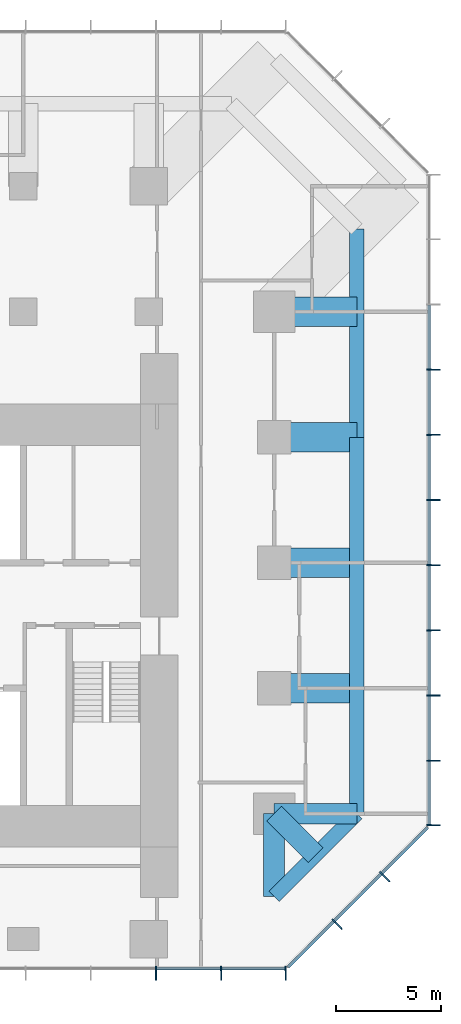
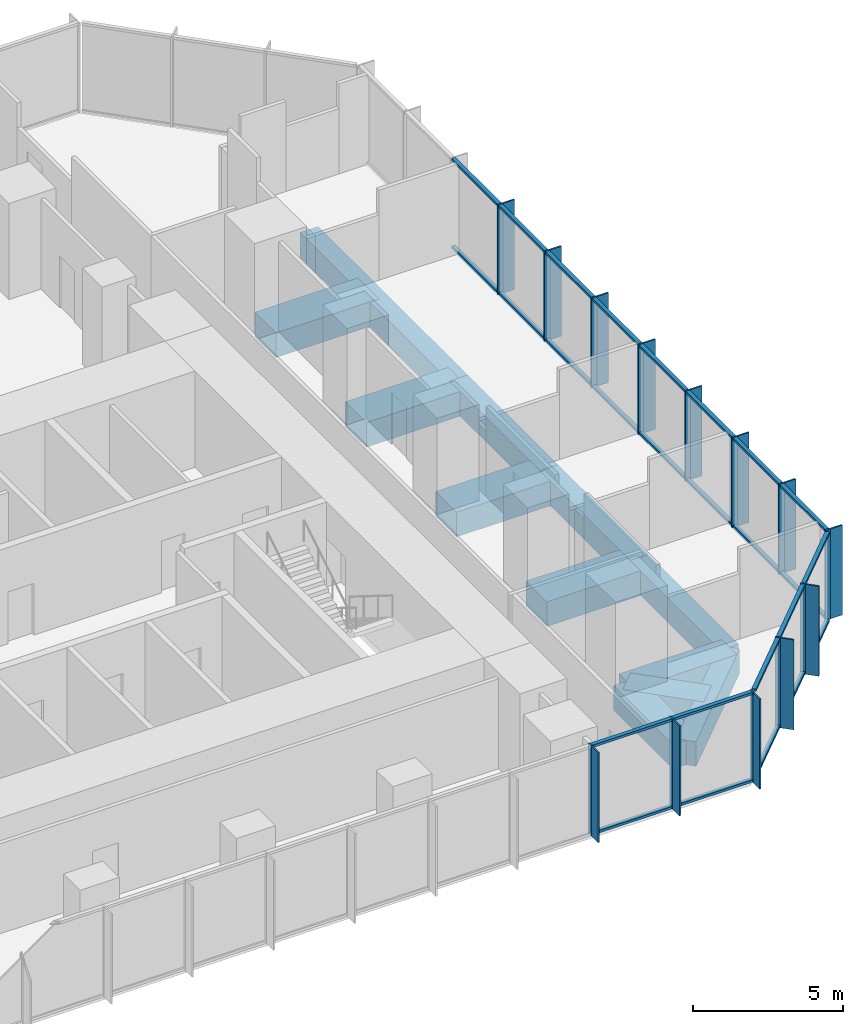
# One storey, part 4 of 11: 52 members, 12 beams, 3 elements without a shape of their own.
"""IFC4 building model written with IfcOpenShell, lengths in metres."""

from ifc_helpers import new_model, si_unit, direction, frame, origin, origin_2d, place, context, subcontext, project, spatial, rectangle, extrude, material, layer, layer_set, material_profile, profile_set, type_object, element, aggregate, save


model = new_model("IFC4")

# Units and contexts
model_context = context("Model", 3, precision=1e-05, world=origin(), true_north=direction((0.0, 1.0)))
body_context = subcontext(model_context, "Body", "Model", "MODEL_VIEW")
ifc_project = project(units=[si_unit("LENGTHUNIT", "METRE"), si_unit("AREAUNIT", "SQUARE_METRE"), si_unit("VOLUMEUNIT", "CUBIC_METRE"), si_unit("PLANEANGLEUNIT", "RADIAN"), si_unit("MASSUNIT", "GRAM", prefix="KILO")], contexts=[model_context])

# Site, building, storey
site_placement = place(None, origin())
site = spatial("IfcSite", under=ifc_project, at=site_placement, CompositionType="ELEMENT")
building_placement = place(site_placement, origin())
building = spatial("IfcBuilding", under=site, at=building_placement, Name="Highveld Stack Headquarters", CompositionType="ELEMENT")
storey_placement = place(building_placement, frame((0.0, 0.0, 185.0)))
storey = spatial("IfcBuildingStorey", under=building, at=storey_placement, Name="L45", CompositionType="ELEMENT", Elevation=185.0)

# Beams
ifc_material_1 = material(Name="Concrete C60/75", Category="concrete")
ifc_material_profile_1 = material_profile(ifc_material_1, rectangle(XDim=1.0, YDim=1.0, at=origin_2d()), Name="RC 1000x1000")
ifc_profile_set_1 = profile_set([ifc_material_profile_1], Name="Concrete C60/75")
beam_type_1 = type_object("IfcBeamType", Name="CANTILEVER RIB RC 1000x1000", PredefinedType="USERDEFINED", material=ifc_profile_set_1)
for number, where, z_axis, x_axis, name in (
    (1, (24.0, -6.0, -0.75), (1.0, 0.0, 0.0), (0.0, 1.0, 0.0), "Cantilever rib 10/D L45"),
    (2, (24.0, -6.0, -0.75), (0.0, -1.0, 0.0), (1.0, 0.0, 0.0), "Cantilever rib 10/D L45"),
):
    element("IfcBeam", number, at=place(storey_placement, frame(where, z_axis=z_axis, x_axis=x_axis)), inside=storey, type_object=beam_type_1, Name=name, ObjectType="CANTILEVER RIB", PredefinedType="USERDEFINED", context=body_context, shape_type="SweptSolid", body=[
        extrude(rectangle(XDim=1.0, YDim=1.0, at=origin_2d()), origin(), (0.0, 0.0, 1.0), 3.949951171875),
    ])
beam_1_placement = place(storey_placement, frame((24.0, -6.0, -0.75), z_axis=(0.707106781187, -0.707106781187, 0.0), x_axis=(0.707106781187, 0.707106781187, 0.0)))
element("IfcBeam", 3, at=beam_1_placement, inside=storey, type_object=beam_type_1, Name="Cantilever rib 10/D L45", ObjectType="CANTILEVER RIB", PredefinedType="USERDEFINED", context=body_context, shape_type="SweptSolid", body=[
    extrude(rectangle(XDim=1.0, YDim=1.0, at=origin_2d()), origin(), (0.0, 0.0, 1.0), 2.793212890625),
])
ifc_material_2 = material(Name="Concrete C60/75", Category="concrete")
ifc_material_profile_2 = material_profile(ifc_material_2, rectangle(XDim=1.39990234375, YDim=1.0, at=origin_2d()), Name="RC 1400x1000")
ifc_profile_set_2 = profile_set([ifc_material_profile_2], Name="Concrete C60/75")
beam_type_2 = type_object("IfcBeamType", Name="CANTILEVER RIB RC 1400x1000", PredefinedType="USERDEFINED", material=ifc_profile_set_2)
for number, where, z_axis, x_axis, name in (
    (4, (24.0, 0.0, -0.75), (1.0, 0.0, 0.0), (0.0, 1.0, 0.0), "Cantilever rib 10/E L45"),
    (5, (24.0, 6.0, -0.75), (1.0, 0.0, 0.0), (0.0, 1.0, 0.0), "Cantilever rib 10/F L45"),
    (6, (24.0, 12.0, -0.75), (1.0, 0.0, 0.0), (0.0, 1.0, 0.0), "Cantilever rib 10/G L45"),
    (7, (24.0, 18.0, -0.75), (1.0, 0.0, 0.0), (0.0, 1.0, 0.0), "Cantilever rib 10/H L45"),
):
    element("IfcBeam", number, at=place(storey_placement, frame(where, z_axis=z_axis, x_axis=x_axis)), inside=storey, type_object=beam_type_2, Name=name, ObjectType="CANTILEVER RIB", PredefinedType="USERDEFINED", context=body_context, shape_type="SweptSolid", body=[
        extrude(rectangle(XDim=1.39990234375, YDim=1.0, at=origin_2d()), origin(), (0.0, 0.0, 1.0), 3.949951171875),
    ])

# Curtain wall, members
ifc_material_3 = material(Name="Aluminium bronze anodised", Category="aluminium")
ifc_layer_1 = layer(ifc_material_3, 0.199951171875)
ifc_layer_set_1 = layer_set([ifc_layer_1], Name="Aluminium bronze anodised")
curtain_wall_type_1 = type_object("IfcCurtainWallType", Name="CW1 TOWER UNITISED CURTAIN WALL", PredefinedType="NOTDEFINED", material=ifc_layer_set_1)
curtain_wall_1_placement = place(storey_placement, origin())
curtain_wall_1 = element("IfcCurtainWall", 8, at=curtain_wall_1_placement, inside=storey, type_object=curtain_wall_type_1, Name="Curtain wall CW1 L45 S", PredefinedType="NOTDEFINED")
ifc_material_4 = material(Name="Aluminium bronze anodised", Category="aluminium")
ifc_material_profile_3 = material_profile(ifc_material_4, rectangle(XDim=0.449951171875, YDim=0.06005859375, at=origin_2d()), Name="FIN 450x60")
ifc_profile_set_3 = profile_set([ifc_material_profile_3], Name="Aluminium bronze anodised")
member_type_1 = type_object("IfcMemberType", Name="CW1 BRONZE FIN 450x60", PredefinedType="USERDEFINED", material=ifc_profile_set_3)
member_1_placement = place(storey_placement, frame((18.347900390625, -13.72509765625, 0.0), z_axis=(0.0, 0.0, 1.0), x_axis=(0.0, 1.0, 0.0)))
member_1 = element("IfcMember", 9, at=member_1_placement, type_object=member_type_1, Name="CW1 fin L45 9", ObjectType="FIN", PredefinedType="USERDEFINED", context=body_context, shape_type="SweptSolid", body=[
    extrude(rectangle(XDim=0.449951171875, YDim=0.06005859375, at=origin_2d()), origin(), (0.0, 0.0, 1.0), 3.64990234375),
])
member_2_placement = place(storey_placement, frame((21.4638671875, -13.72509765625, 0.0), z_axis=(0.0, 0.0, 1.0), x_axis=(0.0, 1.0, 0.0)))
member_2 = element("IfcMember", 10, at=member_2_placement, type_object=member_type_1, Name="CW1 fin L45 10", ObjectType="FIN", PredefinedType="USERDEFINED", context=body_context, shape_type="SweptSolid", body=[
    extrude(rectangle(XDim=0.449951171875, YDim=0.06005859375, at=origin_2d()), origin(), (0.0, 0.0, 1.0), 3.64990234375),
])
member_3_placement = place(storey_placement, frame((24.54736328125, -13.72509765625, 0.0), z_axis=(0.0, 0.0, 1.0), x_axis=(0.0, 1.0, 0.0)))
member_3 = element("IfcMember", 11, at=member_3_placement, type_object=member_type_1, Name="CW1 fin L45 11", ObjectType="FIN", PredefinedType="USERDEFINED", context=body_context, shape_type="SweptSolid", body=[
    extrude(rectangle(XDim=0.449951171875, YDim=0.06005859375, at=origin_2d()), origin(), (0.0, 0.0, 1.0), 3.64990234375),
])

curtain_wall_2_placement = place(storey_placement, origin())
curtain_wall_2 = element("IfcCurtainWall", 12, at=curtain_wall_2_placement, inside=storey, type_object=curtain_wall_type_1, Name="Curtain wall CW1 L45 E", PredefinedType="NOTDEFINED")
member_4_placement = place(storey_placement, frame((31.72509765625, -6.54736328125, 0.0), z_axis=(0.0, 0.0, 1.0), x_axis=(-1.0, 0.0, 0.0)))
member_4 = element("IfcMember", 13, at=member_4_placement, type_object=member_type_1, Name="CW1 fin L45 1", ObjectType="FIN", PredefinedType="USERDEFINED", context=body_context, shape_type="SweptSolid", body=[
    extrude(rectangle(XDim=0.449951171875, YDim=0.06005859375, at=origin_2d()), origin(), (0.0, 0.0, 1.0), 3.64990234375),
])
member_5_placement = place(storey_placement, frame((31.72509765625, -3.4638671875, 0.0), z_axis=(0.0, 0.0, 1.0), x_axis=(-1.0, 0.0, 0.0)))
member_5 = element("IfcMember", 14, at=member_5_placement, type_object=member_type_1, Name="CW1 fin L45 2", ObjectType="FIN", PredefinedType="USERDEFINED", context=body_context, shape_type="SweptSolid", body=[
    extrude(rectangle(XDim=0.449951171875, YDim=0.06005859375, at=origin_2d()), origin(), (0.0, 0.0, 1.0), 3.64990234375),
])
member_6_placement = place(storey_placement, frame((31.72509765625, -0.347900390625, 0.0), z_axis=(0.0, 0.0, 1.0), x_axis=(-1.0, 0.0, 0.0)))
member_6 = element("IfcMember", 15, at=member_6_placement, type_object=member_type_1, Name="CW1 fin L45 3", ObjectType="FIN", PredefinedType="USERDEFINED", context=body_context, shape_type="SweptSolid", body=[
    extrude(rectangle(XDim=0.449951171875, YDim=0.06005859375, at=origin_2d()), origin(), (0.0, 0.0, 1.0), 3.64990234375),
])
member_7_placement = place(storey_placement, frame((31.72509765625, 2.76806640625, 0.0), z_axis=(0.0, 0.0, 1.0), x_axis=(-1.0, 0.0, 0.0)))
member_7 = element("IfcMember", 16, at=member_7_placement, type_object=member_type_1, Name="CW1 fin L45 4", ObjectType="FIN", PredefinedType="USERDEFINED", context=body_context, shape_type="SweptSolid", body=[
    extrude(rectangle(XDim=0.449951171875, YDim=0.06005859375, at=origin_2d()), origin(), (0.0, 0.0, 1.0), 3.64990234375),
])
member_8_placement = place(storey_placement, frame((31.72509765625, 5.884033203125, 0.0), z_axis=(0.0, 0.0, 1.0), x_axis=(-1.0, 0.0, 0.0)))
member_8 = element("IfcMember", 17, at=member_8_placement, type_object=member_type_1, Name="CW1 fin L45 5", ObjectType="FIN", PredefinedType="USERDEFINED", context=body_context, shape_type="SweptSolid", body=[
    extrude(rectangle(XDim=0.449951171875, YDim=0.06005859375, at=origin_2d()), origin(), (0.0, 0.0, 1.0), 3.64990234375),
])
member_9_placement = place(storey_placement, frame((31.72509765625, 9.0, 0.0), z_axis=(0.0, 0.0, 1.0), x_axis=(-1.0, 0.0, 0.0)))
member_9 = element("IfcMember", 18, at=member_9_placement, type_object=member_type_1, Name="CW1 fin L45 6", ObjectType="FIN", PredefinedType="USERDEFINED", context=body_context, shape_type="SweptSolid", body=[
    extrude(rectangle(XDim=0.449951171875, YDim=0.06005859375, at=origin_2d()), origin(), (0.0, 0.0, 1.0), 3.64990234375),
])
member_10_placement = place(storey_placement, frame((31.72509765625, 12.115966796875, 0.0), z_axis=(0.0, 0.0, 1.0), x_axis=(-1.0, 0.0, 0.0)))
member_10 = element("IfcMember", 19, at=member_10_placement, type_object=member_type_1, Name="CW1 fin L45 7", ObjectType="FIN", PredefinedType="USERDEFINED", context=body_context, shape_type="SweptSolid", body=[
    extrude(rectangle(XDim=0.449951171875, YDim=0.06005859375, at=origin_2d()), origin(), (0.0, 0.0, 1.0), 3.64990234375),
])
member_11_placement = place(storey_placement, frame((31.72509765625, 15.23193359375, 0.0), z_axis=(0.0, 0.0, 1.0), x_axis=(-1.0, 0.0, 0.0)))
member_11 = element("IfcMember", 20, at=member_11_placement, type_object=member_type_1, Name="CW1 fin L45 8", ObjectType="FIN", PredefinedType="USERDEFINED", context=body_context, shape_type="SweptSolid", body=[
    extrude(rectangle(XDim=0.449951171875, YDim=0.06005859375, at=origin_2d()), origin(), (0.0, 0.0, 1.0), 3.64990234375),
])

# Member
ifc_material_5 = material(Name="Aluminium bronze anodised", Category="aluminium")
ifc_material_profile_4 = material_profile(ifc_material_5, rectangle(XDim=0.199951171875, YDim=0.06494140625, at=origin_2d()), Name="CW1 MULLION 65x200")
ifc_profile_set_4 = profile_set([ifc_material_profile_4], Name="Aluminium bronze anodised")
member_type_2 = type_object("IfcMemberType", Name="CW1 MULLION 65x200", PredefinedType="MULLION", material=ifc_profile_set_4)
member_12_placement = place(storey_placement, frame((18.347900390625, -13.39990234375, 0.0), z_axis=(0.0, 0.0, 1.0), x_axis=(0.0, 1.0, 0.0)))
member_12 = element("IfcMember", 21, at=member_12_placement, type_object=member_type_2, Name="CW1 mullion L45 9", PredefinedType="MULLION", context=body_context, shape_type="SweptSolid", body=[
    extrude(rectangle(XDim=0.199951171875, YDim=0.06494140625, at=origin_2d()), origin(), (0.0, 0.0, 1.0), 3.64990234375),
])

member_13_placement = place(storey_placement, frame((21.4638671875, -13.39990234375, 0.0), z_axis=(0.0, 0.0, 1.0), x_axis=(0.0, 1.0, 0.0)))
member_13 = element("IfcMember", 22, at=member_13_placement, type_object=member_type_2, Name="CW1 mullion L45 10", PredefinedType="MULLION", context=body_context, shape_type="SweptSolid", body=[
    extrude(rectangle(XDim=0.199951171875, YDim=0.06494140625, at=origin_2d()), origin(), (0.0, 0.0, 1.0), 3.64990234375),
])

member_14_placement = place(storey_placement, frame((24.54736328125, -13.39990234375, 0.0), z_axis=(0.0, 0.0, 1.0), x_axis=(0.0, 1.0, 0.0)))
member_14 = element("IfcMember", 23, at=member_14_placement, type_object=member_type_2, Name="CW1 mullion L45 11", PredefinedType="MULLION", context=body_context, shape_type="SweptSolid", body=[
    extrude(rectangle(XDim=0.199951171875, YDim=0.06494140625, at=origin_2d()), origin(), (0.0, 0.0, 1.0), 3.64990234375),
])

member_15_placement = place(storey_placement, frame((31.39990234375, -6.54736328125, 0.0), z_axis=(0.0, 0.0, 1.0), x_axis=(-1.0, 0.0, 0.0)))
member_15 = element("IfcMember", 24, at=member_15_placement, type_object=member_type_2, Name="CW1 mullion L45 1", PredefinedType="MULLION", context=body_context, shape_type="SweptSolid", body=[
    extrude(rectangle(XDim=0.199951171875, YDim=0.06494140625, at=origin_2d()), origin(), (0.0, 0.0, 1.0), 3.64990234375),
])

member_16_placement = place(storey_placement, frame((31.39990234375, -3.4638671875, 0.0), z_axis=(0.0, 0.0, 1.0), x_axis=(-1.0, 0.0, 0.0)))
member_16 = element("IfcMember", 25, at=member_16_placement, type_object=member_type_2, Name="CW1 mullion L45 2", PredefinedType="MULLION", context=body_context, shape_type="SweptSolid", body=[
    extrude(rectangle(XDim=0.199951171875, YDim=0.06494140625, at=origin_2d()), origin(), (0.0, 0.0, 1.0), 3.64990234375),
])

member_17_placement = place(storey_placement, frame((31.39990234375, -0.347900390625, 0.0), z_axis=(0.0, 0.0, 1.0), x_axis=(-1.0, 0.0, 0.0)))
member_17 = element("IfcMember", 26, at=member_17_placement, type_object=member_type_2, Name="CW1 mullion L45 3", PredefinedType="MULLION", context=body_context, shape_type="SweptSolid", body=[
    extrude(rectangle(XDim=0.199951171875, YDim=0.06494140625, at=origin_2d()), origin(), (0.0, 0.0, 1.0), 3.64990234375),
])

member_18_placement = place(storey_placement, frame((31.39990234375, 2.76806640625, 0.0), z_axis=(0.0, 0.0, 1.0), x_axis=(-1.0, 0.0, 0.0)))
member_18 = element("IfcMember", 27, at=member_18_placement, type_object=member_type_2, Name="CW1 mullion L45 4", PredefinedType="MULLION", context=body_context, shape_type="SweptSolid", body=[
    extrude(rectangle(XDim=0.199951171875, YDim=0.06494140625, at=origin_2d()), origin(), (0.0, 0.0, 1.0), 3.64990234375),
])

member_19_placement = place(storey_placement, frame((31.39990234375, 5.884033203125, 0.0), z_axis=(0.0, 0.0, 1.0), x_axis=(-1.0, 0.0, 0.0)))
member_19 = element("IfcMember", 28, at=member_19_placement, type_object=member_type_2, Name="CW1 mullion L45 5", PredefinedType="MULLION", context=body_context, shape_type="SweptSolid", body=[
    extrude(rectangle(XDim=0.199951171875, YDim=0.06494140625, at=origin_2d()), origin(), (0.0, 0.0, 1.0), 3.64990234375),
])

member_20_placement = place(storey_placement, frame((31.39990234375, 9.0, 0.0), z_axis=(0.0, 0.0, 1.0), x_axis=(-1.0, 0.0, 0.0)))
member_20 = element("IfcMember", 29, at=member_20_placement, type_object=member_type_2, Name="CW1 mullion L45 6", PredefinedType="MULLION", context=body_context, shape_type="SweptSolid", body=[
    extrude(rectangle(XDim=0.199951171875, YDim=0.06494140625, at=origin_2d()), origin(), (0.0, 0.0, 1.0), 3.64990234375),
])

member_21_placement = place(storey_placement, frame((31.39990234375, 12.115966796875, 0.0), z_axis=(0.0, 0.0, 1.0), x_axis=(-1.0, 0.0, 0.0)))
member_21 = element("IfcMember", 30, at=member_21_placement, type_object=member_type_2, Name="CW1 mullion L45 7", PredefinedType="MULLION", context=body_context, shape_type="SweptSolid", body=[
    extrude(rectangle(XDim=0.199951171875, YDim=0.06494140625, at=origin_2d()), origin(), (0.0, 0.0, 1.0), 3.64990234375),
])

member_22_placement = place(storey_placement, frame((31.39990234375, 15.23193359375, 0.0), z_axis=(0.0, 0.0, 1.0), x_axis=(-1.0, 0.0, 0.0)))
member_22 = element("IfcMember", 31, at=member_22_placement, type_object=member_type_2, Name="CW1 mullion L45 8", PredefinedType="MULLION", context=body_context, shape_type="SweptSolid", body=[
    extrude(rectangle(XDim=0.199951171875, YDim=0.06494140625, at=origin_2d()), origin(), (0.0, 0.0, 1.0), 3.64990234375),
])

ifc_material_6 = material(Name="Aluminium bronze anodised", Category="aluminium")
ifc_material_profile_5 = material_profile(ifc_material_6, rectangle(XDim=0.14990234375, YDim=0.10009765625, at=origin_2d()), Name="CW1 TRANSOM 150x100")
ifc_profile_set_5 = profile_set([ifc_material_profile_5], Name="Aluminium bronze anodised")
member_type_3 = type_object("IfcMemberType", Name="CW1 STACK TRANSOM 150x100", PredefinedType="USERDEFINED", material=ifc_profile_set_5)
member_23_placement = place(storey_placement, frame((18.38037109375, -13.39990234375, 0.050048828125), z_axis=(1.0, 0.0, 0.0), x_axis=(0.0, 1.0, 0.0)))
member_23 = element("IfcMember", 32, at=member_23_placement, type_object=member_type_3, Name="CW1 transom L45 9.1", ObjectType="TRANSOM", PredefinedType="USERDEFINED", context=body_context, shape_type="SweptSolid", body=[
    extrude(rectangle(XDim=0.14990234375, YDim=0.10009765625, at=origin_2d()), origin(), (0.0, 0.0, 1.0), 3.051025390625),
])

member_24_placement = place(storey_placement, frame((18.38037109375, -13.39990234375, 3.60009765625), z_axis=(1.0, 0.0, 0.0), x_axis=(0.0, 1.0, 0.0)))
member_24 = element("IfcMember", 33, at=member_24_placement, type_object=member_type_3, Name="CW1 transom L45 9.2", ObjectType="TRANSOM", PredefinedType="USERDEFINED", context=body_context, shape_type="SweptSolid", body=[
    extrude(rectangle(XDim=0.14990234375, YDim=0.10009765625, at=origin_2d()), origin(), (0.0, 0.0, 1.0), 3.051025390625),
])

member_25_placement = place(storey_placement, frame((21.496337890625, -13.39990234375, 0.050048828125), z_axis=(1.0, 0.0, 0.0), x_axis=(0.0, 1.0, 0.0)))
member_25 = element("IfcMember", 34, at=member_25_placement, type_object=member_type_3, Name="CW1 transom L45 10.1", ObjectType="TRANSOM", PredefinedType="USERDEFINED", context=body_context, shape_type="SweptSolid", body=[
    extrude(rectangle(XDim=0.14990234375, YDim=0.10009765625, at=origin_2d()), origin(), (0.0, 0.0, 1.0), 3.0185546875),
])

member_26_placement = place(storey_placement, frame((21.496337890625, -13.39990234375, 3.60009765625), z_axis=(1.0, 0.0, 0.0), x_axis=(0.0, 1.0, 0.0)))
member_26 = element("IfcMember", 35, at=member_26_placement, type_object=member_type_3, Name="CW1 transom L45 10.2", ObjectType="TRANSOM", PredefinedType="USERDEFINED", context=body_context, shape_type="SweptSolid", body=[
    extrude(rectangle(XDim=0.14990234375, YDim=0.10009765625, at=origin_2d()), origin(), (0.0, 0.0, 1.0), 3.0185546875),
])

aggregate(curtain_wall_1, [member_12, member_1, member_13, member_2, member_14, member_3, member_23, member_24, member_25, member_26])

member_27_placement = place(storey_placement, frame((31.39990234375, -6.514892578125, 0.050048828125), z_axis=(0.0, 1.0, 0.0), x_axis=(-1.0, 0.0, 0.0)))
member_27 = element("IfcMember", 36, at=member_27_placement, type_object=member_type_3, Name="CW1 transom L45 1.1", ObjectType="TRANSOM", PredefinedType="USERDEFINED", context=body_context, shape_type="SweptSolid", body=[
    extrude(rectangle(XDim=0.14990234375, YDim=0.10009765625, at=origin_2d()), origin(), (0.0, 0.0, 1.0), 3.0185546875),
])

member_28_placement = place(storey_placement, frame((31.39990234375, -6.514892578125, 3.60009765625), z_axis=(0.0, 1.0, 0.0), x_axis=(-1.0, 0.0, 0.0)))
member_28 = element("IfcMember", 37, at=member_28_placement, type_object=member_type_3, Name="CW1 transom L45 1.2", ObjectType="TRANSOM", PredefinedType="USERDEFINED", context=body_context, shape_type="SweptSolid", body=[
    extrude(rectangle(XDim=0.14990234375, YDim=0.10009765625, at=origin_2d()), origin(), (0.0, 0.0, 1.0), 3.0185546875),
])

member_29_placement = place(storey_placement, frame((31.39990234375, -3.431396484375, 0.050048828125), z_axis=(0.0, 1.0, 0.0), x_axis=(-1.0, 0.0, 0.0)))
member_29 = element("IfcMember", 38, at=member_29_placement, type_object=member_type_3, Name="CW1 transom L45 2.1", ObjectType="TRANSOM", PredefinedType="USERDEFINED", context=body_context, shape_type="SweptSolid", body=[
    extrude(rectangle(XDim=0.14990234375, YDim=0.10009765625, at=origin_2d()), origin(), (0.0, 0.0, 1.0), 3.051025390625),
])

member_30_placement = place(storey_placement, frame((31.39990234375, -3.431396484375, 3.60009765625), z_axis=(0.0, 1.0, 0.0), x_axis=(-1.0, 0.0, 0.0)))
member_30 = element("IfcMember", 39, at=member_30_placement, type_object=member_type_3, Name="CW1 transom L45 2.2", ObjectType="TRANSOM", PredefinedType="USERDEFINED", context=body_context, shape_type="SweptSolid", body=[
    extrude(rectangle(XDim=0.14990234375, YDim=0.10009765625, at=origin_2d()), origin(), (0.0, 0.0, 1.0), 3.051025390625),
])

member_31_placement = place(storey_placement, frame((31.39990234375, -0.3154296875, 0.050048828125), z_axis=(0.0, 1.0, 0.0), x_axis=(-1.0, 0.0, 0.0)))
member_31 = element("IfcMember", 40, at=member_31_placement, type_object=member_type_3, Name="CW1 transom L45 3.1", ObjectType="TRANSOM", PredefinedType="USERDEFINED", context=body_context, shape_type="SweptSolid", body=[
    extrude(rectangle(XDim=0.14990234375, YDim=0.10009765625, at=origin_2d()), origin(), (0.0, 0.0, 1.0), 3.051025390625),
])

member_32_placement = place(storey_placement, frame((31.39990234375, -0.3154296875, 3.60009765625), z_axis=(0.0, 1.0, 0.0), x_axis=(-1.0, 0.0, 0.0)))
member_32 = element("IfcMember", 41, at=member_32_placement, type_object=member_type_3, Name="CW1 transom L45 3.2", ObjectType="TRANSOM", PredefinedType="USERDEFINED", context=body_context, shape_type="SweptSolid", body=[
    extrude(rectangle(XDim=0.14990234375, YDim=0.10009765625, at=origin_2d()), origin(), (0.0, 0.0, 1.0), 3.051025390625),
])

member_33_placement = place(storey_placement, frame((31.39990234375, 2.800537109375, 0.050048828125), z_axis=(0.0, 1.0, 0.0), x_axis=(-1.0, 0.0, 0.0)))
member_33 = element("IfcMember", 42, at=member_33_placement, type_object=member_type_3, Name="CW1 transom L45 4.1", ObjectType="TRANSOM", PredefinedType="USERDEFINED", context=body_context, shape_type="SweptSolid", body=[
    extrude(rectangle(XDim=0.14990234375, YDim=0.10009765625, at=origin_2d()), origin(), (0.0, 0.0, 1.0), 3.051025390625),
])

member_34_placement = place(storey_placement, frame((31.39990234375, 2.800537109375, 3.60009765625), z_axis=(0.0, 1.0, 0.0), x_axis=(-1.0, 0.0, 0.0)))
member_34 = element("IfcMember", 43, at=member_34_placement, type_object=member_type_3, Name="CW1 transom L45 4.2", ObjectType="TRANSOM", PredefinedType="USERDEFINED", context=body_context, shape_type="SweptSolid", body=[
    extrude(rectangle(XDim=0.14990234375, YDim=0.10009765625, at=origin_2d()), origin(), (0.0, 0.0, 1.0), 3.051025390625),
])

member_35_placement = place(storey_placement, frame((31.39990234375, 5.91650390625, 0.050048828125), z_axis=(0.0, 1.0, 0.0), x_axis=(-1.0, 0.0, 0.0)))
member_35 = element("IfcMember", 44, at=member_35_placement, type_object=member_type_3, Name="CW1 transom L45 5.1", ObjectType="TRANSOM", PredefinedType="USERDEFINED", context=body_context, shape_type="SweptSolid", body=[
    extrude(rectangle(XDim=0.14990234375, YDim=0.10009765625, at=origin_2d()), origin(), (0.0, 0.0, 1.0), 3.051025390625),
])

member_36_placement = place(storey_placement, frame((31.39990234375, 5.91650390625, 3.60009765625), z_axis=(0.0, 1.0, 0.0), x_axis=(-1.0, 0.0, 0.0)))
member_36 = element("IfcMember", 45, at=member_36_placement, type_object=member_type_3, Name="CW1 transom L45 5.2", ObjectType="TRANSOM", PredefinedType="USERDEFINED", context=body_context, shape_type="SweptSolid", body=[
    extrude(rectangle(XDim=0.14990234375, YDim=0.10009765625, at=origin_2d()), origin(), (0.0, 0.0, 1.0), 3.051025390625),
])

member_37_placement = place(storey_placement, frame((31.39990234375, 9.032470703125, 0.050048828125), z_axis=(0.0, 1.0, 0.0), x_axis=(-1.0, 0.0, 0.0)))
member_37 = element("IfcMember", 46, at=member_37_placement, type_object=member_type_3, Name="CW1 transom L45 6.1", ObjectType="TRANSOM", PredefinedType="USERDEFINED", context=body_context, shape_type="SweptSolid", body=[
    extrude(rectangle(XDim=0.14990234375, YDim=0.10009765625, at=origin_2d()), origin(), (0.0, 0.0, 1.0), 3.051025390625),
])

member_38_placement = place(storey_placement, frame((31.39990234375, 9.032470703125, 3.60009765625), z_axis=(0.0, 1.0, 0.0), x_axis=(-1.0, 0.0, 0.0)))
member_38 = element("IfcMember", 47, at=member_38_placement, type_object=member_type_3, Name="CW1 transom L45 6.2", ObjectType="TRANSOM", PredefinedType="USERDEFINED", context=body_context, shape_type="SweptSolid", body=[
    extrude(rectangle(XDim=0.14990234375, YDim=0.10009765625, at=origin_2d()), origin(), (0.0, 0.0, 1.0), 3.051025390625),
])

member_39_placement = place(storey_placement, frame((31.39990234375, 12.1484375, 0.050048828125), z_axis=(0.0, 1.0, 0.0), x_axis=(-1.0, 0.0, 0.0)))
member_39 = element("IfcMember", 48, at=member_39_placement, type_object=member_type_3, Name="CW1 transom L45 7.1", ObjectType="TRANSOM", PredefinedType="USERDEFINED", context=body_context, shape_type="SweptSolid", body=[
    extrude(rectangle(XDim=0.14990234375, YDim=0.10009765625, at=origin_2d()), origin(), (0.0, 0.0, 1.0), 3.051025390625),
])

member_40_placement = place(storey_placement, frame((31.39990234375, 12.1484375, 3.60009765625), z_axis=(0.0, 1.0, 0.0), x_axis=(-1.0, 0.0, 0.0)))
member_40 = element("IfcMember", 49, at=member_40_placement, type_object=member_type_3, Name="CW1 transom L45 7.2", ObjectType="TRANSOM", PredefinedType="USERDEFINED", context=body_context, shape_type="SweptSolid", body=[
    extrude(rectangle(XDim=0.14990234375, YDim=0.10009765625, at=origin_2d()), origin(), (0.0, 0.0, 1.0), 3.051025390625),
])

member_41_placement = place(storey_placement, frame((31.39990234375, 15.264404296875, 0.050048828125), z_axis=(0.0, 1.0, 0.0), x_axis=(-1.0, 0.0, 0.0)))
member_41 = element("IfcMember", 50, at=member_41_placement, type_object=member_type_3, Name="CW1 transom L45 8.1", ObjectType="TRANSOM", PredefinedType="USERDEFINED", context=body_context, shape_type="SweptSolid", body=[
    extrude(rectangle(XDim=0.14990234375, YDim=0.10009765625, at=origin_2d()), origin(), (0.0, 0.0, 1.0), 3.051025390625),
])

member_42_placement = place(storey_placement, frame((31.39990234375, 15.264404296875, 3.60009765625), z_axis=(0.0, 1.0, 0.0), x_axis=(-1.0, 0.0, 0.0)))
member_42 = element("IfcMember", 51, at=member_42_placement, type_object=member_type_3, Name="CW1 transom L45 8.2", ObjectType="TRANSOM", PredefinedType="USERDEFINED", context=body_context, shape_type="SweptSolid", body=[
    extrude(rectangle(XDim=0.14990234375, YDim=0.10009765625, at=origin_2d()), origin(), (0.0, 0.0, 1.0), 3.051025390625),
])

aggregate(curtain_wall_2, [member_15, member_4, member_16, member_5, member_17, member_6, member_18, member_7, member_19, member_8, member_20, member_9, member_21, member_10, member_22, member_11, member_27, member_28, member_29, member_30, member_31, member_32, member_33, member_34, member_35, member_36, member_37, member_38, member_39, member_40, member_41, member_42])

# Curtain wall, members
ifc_material_7 = material(Name="Aluminium bronze anodised", Category="aluminium")
ifc_layer_2 = layer(ifc_material_7, 0.199951171875)
ifc_layer_set_2 = layer_set([ifc_layer_2], Name="Aluminium bronze anodised")
curtain_wall_type_2 = type_object("IfcCurtainWallType", Name="CW2 TOWER CHAMFER UNITISED CURTAIN WALL", PredefinedType="NOTDEFINED", material=ifc_layer_set_2)
curtain_wall_3_placement = place(storey_placement, origin())
curtain_wall_3 = element("IfcCurtainWall", 52, at=curtain_wall_3_placement, inside=storey, type_object=curtain_wall_type_2, Name="Curtain wall CW2 L45 SE", PredefinedType="NOTDEFINED")
ifc_material_8 = material(Name="Aluminium bronze anodised", Category="aluminium")
ifc_material_profile_6 = material_profile(ifc_material_8, rectangle(XDim=0.449951171875, YDim=0.06005859375, at=origin_2d()), Name="FIN 450x60")
ifc_profile_set_6 = profile_set([ifc_material_profile_6], Name="Aluminium bronze anodised")
member_type_4 = type_object("IfcMemberType", Name="CW2 BRONZE FIN 450x60", PredefinedType="USERDEFINED", material=ifc_profile_set_6)
member_43_placement = place(storey_placement, frame((27.0830078125, -11.3564453125, 0.0), z_axis=(0.0, 0.0, 1.0), x_axis=(-0.707106781187, 0.707106781187, 0.0)))
member_43 = element("IfcMember", 53, at=member_43_placement, type_object=member_type_4, Name="CW2 fin L45 1", ObjectType="FIN", PredefinedType="USERDEFINED", context=body_context, shape_type="SweptSolid", body=[
    extrude(rectangle(XDim=0.449951171875, YDim=0.06005859375, at=origin_2d()), origin(), (0.0, 0.0, 1.0), 3.64990234375),
])
member_44_placement = place(storey_placement, frame((29.3564453125, -9.0830078125, 0.0), z_axis=(0.0, 0.0, 1.0), x_axis=(-0.707106781187, 0.707106781187, 0.0)))
member_44 = element("IfcMember", 54, at=member_44_placement, type_object=member_type_4, Name="CW2 fin L45 2", ObjectType="FIN", PredefinedType="USERDEFINED", context=body_context, shape_type="SweptSolid", body=[
    extrude(rectangle(XDim=0.449951171875, YDim=0.06005859375, at=origin_2d()), origin(), (0.0, 0.0, 1.0), 3.64990234375),
])
ifc_material_9 = material(Name="Aluminium bronze anodised", Category="aluminium")
ifc_material_profile_7 = material_profile(ifc_material_9, rectangle(XDim=0.199951171875, YDim=0.06494140625, at=origin_2d()), Name="CW2 MULLION 65x200")
ifc_profile_set_7 = profile_set([ifc_material_profile_7], Name="Aluminium bronze anodised")
member_type_5 = type_object("IfcMemberType", Name="CW2 MULLION 65x200", PredefinedType="MULLION", material=ifc_profile_set_7)
member_45_placement = place(storey_placement, frame((26.853271484375, -11.126708984375, 0.0), z_axis=(0.0, 0.0, 1.0), x_axis=(-0.707106781187, 0.707106781187, 0.0)))
member_45 = element("IfcMember", 55, at=member_45_placement, type_object=member_type_5, Name="CW2 mullion L45 1", PredefinedType="MULLION", context=body_context, shape_type="SweptSolid", body=[
    extrude(rectangle(XDim=0.199951171875, YDim=0.06494140625, at=origin_2d()), origin(), (0.0, 0.0, 1.0), 3.64990234375),
])
member_46_placement = place(storey_placement, frame((29.126708984375, -8.853271484375, 0.0), z_axis=(0.0, 0.0, 1.0), x_axis=(-0.707106781187, 0.707106781187, 0.0)))
member_46 = element("IfcMember", 56, at=member_46_placement, type_object=member_type_5, Name="CW2 mullion L45 2", PredefinedType="MULLION", context=body_context, shape_type="SweptSolid", body=[
    extrude(rectangle(XDim=0.199951171875, YDim=0.06494140625, at=origin_2d()), origin(), (0.0, 0.0, 1.0), 3.64990234375),
])
ifc_material_10 = material(Name="Aluminium bronze anodised", Category="aluminium")
ifc_material_profile_8 = material_profile(ifc_material_10, rectangle(XDim=0.14990234375, YDim=0.10009765625, at=origin_2d()), Name="CW2 TRANSOM 150x100")
ifc_profile_set_8 = profile_set([ifc_material_profile_8], Name="Aluminium bronze anodised")
member_type_6 = type_object("IfcMemberType", Name="CW2 STACK TRANSOM 150x100", PredefinedType="USERDEFINED", material=ifc_profile_set_8)
member_47_placement = place(storey_placement, frame((24.650634765625, -13.329345703125, 0.050048828125), z_axis=(0.707106781187, 0.707106781187, 0.0), x_axis=(-0.707106781187, 0.707106781187, 0.0)))
member_47 = element("IfcMember", 57, at=member_47_placement, type_object=member_type_6, Name="CW2 transom L45 1.1", ObjectType="TRANSOM", PredefinedType="USERDEFINED", context=body_context, shape_type="SweptSolid", body=[
    extrude(rectangle(XDim=0.14990234375, YDim=0.10009765625, at=origin_2d()), origin(), (0.0, 0.0, 1.0), 3.08251953125),
])
member_48_placement = place(storey_placement, frame((24.650634765625, -13.329345703125, 3.60009765625), z_axis=(0.707106781187, 0.707106781187, 0.0), x_axis=(-0.707106781187, 0.707106781187, 0.0)))
member_48 = element("IfcMember", 58, at=member_48_placement, type_object=member_type_6, Name="CW2 transom L45 1.2", ObjectType="TRANSOM", PredefinedType="USERDEFINED", context=body_context, shape_type="SweptSolid", body=[
    extrude(rectangle(XDim=0.14990234375, YDim=0.10009765625, at=origin_2d()), origin(), (0.0, 0.0, 1.0), 3.08251953125),
])
member_49_placement = place(storey_placement, frame((26.876220703125, -11.103759765625, 0.050048828125), z_axis=(0.707106781187, 0.707106781187, 0.0), x_axis=(-0.707106781187, 0.707106781187, 0.0)))
member_49 = element("IfcMember", 59, at=member_49_placement, type_object=member_type_6, Name="CW2 transom L45 2.1", ObjectType="TRANSOM", PredefinedType="USERDEFINED", context=body_context, shape_type="SweptSolid", body=[
    extrude(rectangle(XDim=0.14990234375, YDim=0.10009765625, at=origin_2d()), origin(), (0.0, 0.0, 1.0), 3.150146484375),
])
member_50_placement = place(storey_placement, frame((26.876220703125, -11.103759765625, 3.60009765625), z_axis=(0.707106781187, 0.707106781187, 0.0), x_axis=(-0.707106781187, 0.707106781187, 0.0)))
member_50 = element("IfcMember", 60, at=member_50_placement, type_object=member_type_6, Name="CW2 transom L45 2.2", ObjectType="TRANSOM", PredefinedType="USERDEFINED", context=body_context, shape_type="SweptSolid", body=[
    extrude(rectangle(XDim=0.14990234375, YDim=0.10009765625, at=origin_2d()), origin(), (0.0, 0.0, 1.0), 3.150146484375),
])
member_51_placement = place(storey_placement, frame((29.149658203125, -8.830322265625, 0.050048828125), z_axis=(0.707106781187, 0.707106781187, 0.0), x_axis=(-0.707106781187, 0.707106781187, 0.0)))
member_51 = element("IfcMember", 61, at=member_51_placement, type_object=member_type_6, Name="CW2 transom L45 3.1", ObjectType="TRANSOM", PredefinedType="USERDEFINED", context=body_context, shape_type="SweptSolid", body=[
    extrude(rectangle(XDim=0.14990234375, YDim=0.10009765625, at=origin_2d()), origin(), (0.0, 0.0, 1.0), 3.08251953125),
])
member_52_placement = place(storey_placement, frame((29.149658203125, -8.830322265625, 3.60009765625), z_axis=(0.707106781187, 0.707106781187, 0.0), x_axis=(-0.707106781187, 0.707106781187, 0.0)))
member_52 = element("IfcMember", 62, at=member_52_placement, type_object=member_type_6, Name="CW2 transom L45 3.2", ObjectType="TRANSOM", PredefinedType="USERDEFINED", context=body_context, shape_type="SweptSolid", body=[
    extrude(rectangle(XDim=0.14990234375, YDim=0.10009765625, at=origin_2d()), origin(), (0.0, 0.0, 1.0), 3.08251953125),
])
aggregate(curtain_wall_3, [member_45, member_43, member_46, member_44, member_47, member_48, member_49, member_50, member_51, member_52])

# Beams
ifc_material_11 = material(Name="Concrete C60/75", Category="concrete")
ifc_material_profile_9 = material_profile(ifc_material_11, rectangle(XDim=0.699951171875, YDim=1.0, at=origin_2d()), Name="RC 700x1000")
ifc_profile_set_9 = profile_set([ifc_material_profile_9], Name="Concrete C60/75")
beam_type_3 = type_object("IfcBeamType", Name="RIB TIP BEAM RC 700x1000", PredefinedType="SPANDREL", material=ifc_profile_set_9)
for number, where, z_axis, x_axis, name in (
    (63, (27.949951171875, -6.0, -0.75), (0.0, 1.0, 0.0), (-1.0, 0.0, 0.0), "Rib tip beam 10/D to 10/E L45"),
    (64, (27.949951171875, 0.0, -0.75), (0.0, 1.0, 0.0), (-1.0, 0.0, 0.0), "Rib tip beam 10/E to 10/F L45"),
    (65, (27.949951171875, 6.0, -0.75), (0.0, 1.0, 0.0), (-1.0, 0.0, 0.0), "Rib tip beam 10/F to 10/G L45"),
):
    element("IfcBeam", number, at=place(storey_placement, frame(where, z_axis=z_axis, x_axis=x_axis)), inside=storey, type_object=beam_type_3, Name=name, PredefinedType="SPANDREL", context=body_context, shape_type="SweptSolid", body=[
        extrude(rectangle(XDim=0.699951171875, YDim=1.0, at=origin_2d()), origin(), (0.0, 0.0, 1.0), 6.0),
    ])
beam_2_placement = place(storey_placement, frame((27.949951171875, 12.0, -0.75), z_axis=(0.0, 1.0, 0.0), x_axis=(-1.0, 0.0, 0.0)))
element("IfcBeam", 66, at=beam_2_placement, inside=storey, type_object=beam_type_3, Name="Rib tip beam 10/G to 10/H L45", PredefinedType="SPANDREL", context=body_context, shape_type="SweptSolid", body=[
    extrude(rectangle(XDim=0.699951171875, YDim=1.0, at=origin_2d()), origin(), (0.0, 0.0, 1.0), 9.949951171875),
])
beam_3_placement = place(storey_placement, frame((27.949951171875, -6.0, -0.75), z_axis=(-0.707106781187, -0.707106781187, 0.0), x_axis=(0.707106781187, -0.707106781187, 0.0)))
element("IfcBeam", 67, at=beam_3_placement, inside=storey, type_object=beam_type_3, Name="Rib tip beam 10/D corner L45", PredefinedType="SPANDREL", context=body_context, shape_type="SweptSolid", body=[
    extrude(rectangle(XDim=0.699951171875, YDim=1.0, at=origin_2d()), origin(), (0.0, 0.0, 1.0), 5.586181640625),
])

save(model, "model.ifc")
